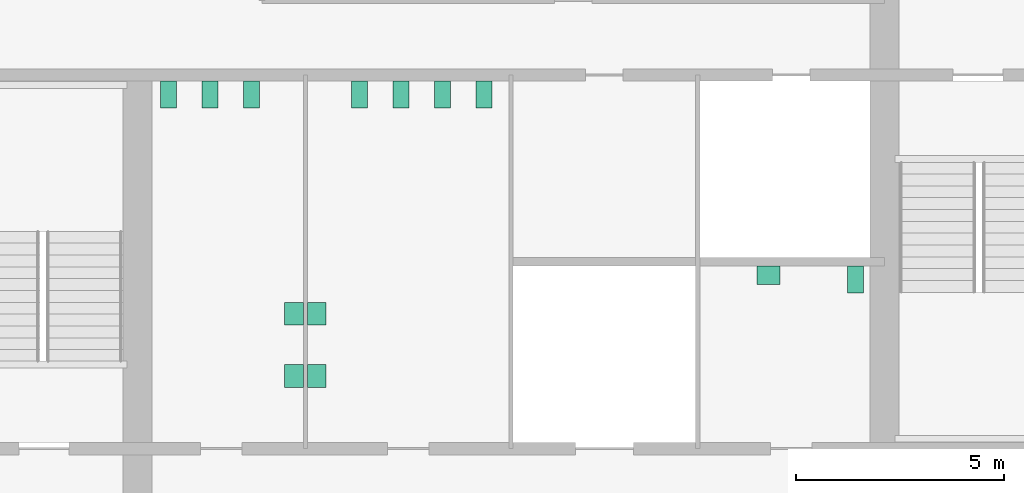
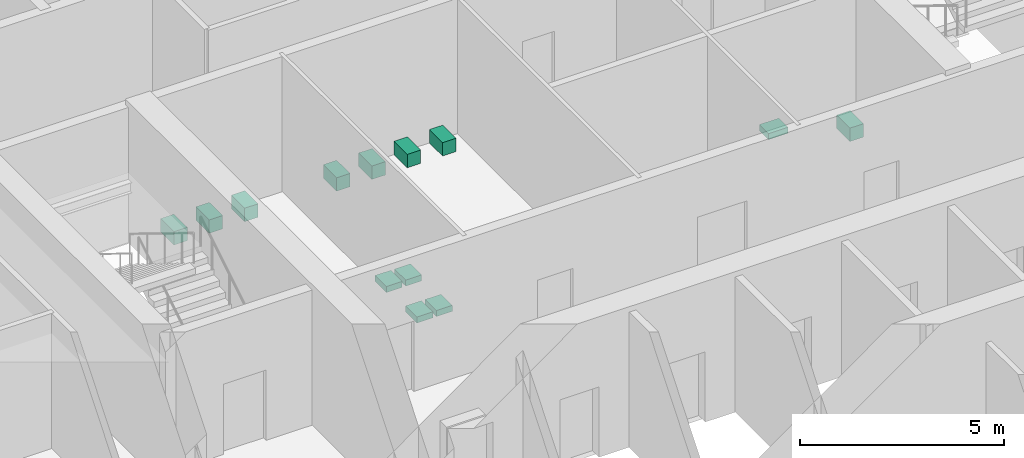
# One storey, part 13 of 13: 13 sanitary terminals.
"""IFC4 building model written with IfcOpenShell, lengths in metres."""

from ifc_helpers import new_model, si_unit, direction, frame, origin, origin_2d, place, context, subcontext, project, spatial, rectangle, extrude, material, type_object, element, save


model = new_model("IFC4")

# Units and contexts
model_context = context("Model", 3, precision=1e-05, world=origin(), true_north=direction((0.0, 1.0)))
body_context = subcontext(model_context, "Body", "Model", "MODEL_VIEW")
ifc_project = project(units=[si_unit("LENGTHUNIT", "METRE"), si_unit("AREAUNIT", "SQUARE_METRE"), si_unit("VOLUMEUNIT", "CUBIC_METRE"), si_unit("PLANEANGLEUNIT", "RADIAN"), si_unit("MASSUNIT", "GRAM", prefix="KILO")], contexts=[model_context])

# Site, building, storey
site_placement = place(None, origin())
site = spatial("IfcSite", under=ifc_project, at=site_placement, CompositionType="ELEMENT")
building_placement = place(site_placement, origin())
building = spatial("IfcBuilding", under=site, at=building_placement, Name="Corais Broadcast Tower", CompositionType="ELEMENT")
storey_placement = place(building_placement, frame((0.0, 0.0, 66.800048828125)))
storey = spatial("IfcBuildingStorey", under=building, at=storey_placement, Name="L14", CompositionType="ELEMENT", Elevation=66.800048828125)

# Sanitary terminals
ifc_material_1 = material(Name="Vitreous china", Category="ceramic")
sanitary_terminal_type_1 = type_object("IfcSanitaryTerminalType", Name="WC pan 380x650", PredefinedType="TOILETPAN", material=ifc_material_1)
for number, where, z_axis, x_axis, name in (
    (1, (18.75, 31.02490234375, 0.0), (0.0, 0.0, 1.0), (1.0, 0.0, 0.0), "SW1 WC pan, male toilets L14"),
    (2, (19.75, 31.02490234375, 0.0), (0.0, 0.0, 1.0), (1.0, 0.0, 0.0), "SW1 WC pan, male toilets L14"),
    (3, (20.75, 31.02490234375, 0.0), (0.0, 0.0, 1.0), (1.0, 0.0, 0.0), "SW1 WC pan, male toilets L14"),
    (4, (23.35009765625, 31.02490234375, 0.0), (0.0, 0.0, 1.0), (1.0, 0.0, 0.0), "SW1 WC pan, female toilets L14"),
    (5, (24.35009765625, 31.02490234375, 0.0), (0.0, 0.0, 1.0), (1.0, 0.0, 0.0), "SW1 WC pan, female toilets L14"),
    (6, (25.35009765625, 31.02490234375, 0.0), (0.0, 0.0, 1.0), (1.0, 0.0, 0.0), "SW1 WC pan, female toilets L14"),
    (7, (26.35009765625, 31.02490234375, 0.0), (0.0, 0.0, 1.0), (1.0, 0.0, 0.0), "SW1 WC pan, female toilets L14"),
    (8, (35.300048828125, 26.574951171875, 0.0), (0.0, 0.0, 1.0), (1.0, 0.0, 0.0), "SW1 WC pan, accessible WC L14"),
):
    element("IfcSanitaryTerminal", number, at=place(storey_placement, frame(where, z_axis=z_axis, x_axis=x_axis)), inside=storey, type_object=sanitary_terminal_type_1, Name=name, PredefinedType="TOILETPAN", context=body_context, shape_type="SweptSolid", body=[
        extrude(rectangle(XDim=0.3798828125, YDim=0.64990234375, at=origin_2d()), origin(), (0.0, 0.0, 1.0), 0.39990234375),
    ])
ifc_material_2 = material(Name="Vitreous china", Category="ceramic")
sanitary_terminal_type_2 = type_object("IfcSanitaryTerminalType", Name="Wash basin 550x450", PredefinedType="WASHHANDBASIN", material=ifc_material_2)
for number, where, z_axis, x_axis, name in (
    (9, (21.77490234375, 24.25, 0.7001953125), (0.0, 0.0, 1.0), (1.0, 0.0, 0.0), "WB1 wash basin, male toilets L14"),
    (10, (21.77490234375, 25.75, 0.7001953125), (0.0, 0.0, 1.0), (1.0, 0.0, 0.0), "WB1 wash basin, male toilets L14"),
    (11, (22.324951171875, 24.25, 0.7001953125), (0.0, 0.0, 1.0), (1.0, 0.0, 0.0), "WB1 wash basin, female toilets L14"),
    (12, (22.324951171875, 25.75, 0.7001953125), (0.0, 0.0, 1.0), (1.0, 0.0, 0.0), "WB1 wash basin, female toilets L14"),
):
    element("IfcSanitaryTerminal", number, at=place(storey_placement, frame(where, z_axis=z_axis, x_axis=x_axis)), inside=storey, type_object=sanitary_terminal_type_2, Name=name, PredefinedType="WASHHANDBASIN", context=body_context, shape_type="SweptSolid", body=[
        extrude(rectangle(XDim=0.449951171875, YDim=0.550048828125, at=origin_2d()), origin(), (0.0, 0.0, 1.0), 0.179931640625),
    ])
sanitary_terminal_placement = place(storey_placement, frame((33.199951171875, 26.675048828125, 0.7001953125), z_axis=(0.0, 0.0, 1.0), x_axis=(1.0, 0.0, 0.0)))
element("IfcSanitaryTerminal", 13, at=sanitary_terminal_placement, inside=storey, type_object=sanitary_terminal_type_2, Name="WB1 wash basin, accessible WC L14", PredefinedType="WASHHANDBASIN", context=body_context, shape_type="SweptSolid", body=[
    extrude(rectangle(XDim=0.550048828125, YDim=0.449951171875, at=origin_2d()), origin(), (0.0, 0.0, 1.0), 0.179931640625),
])

save(model, "model.ifc")
